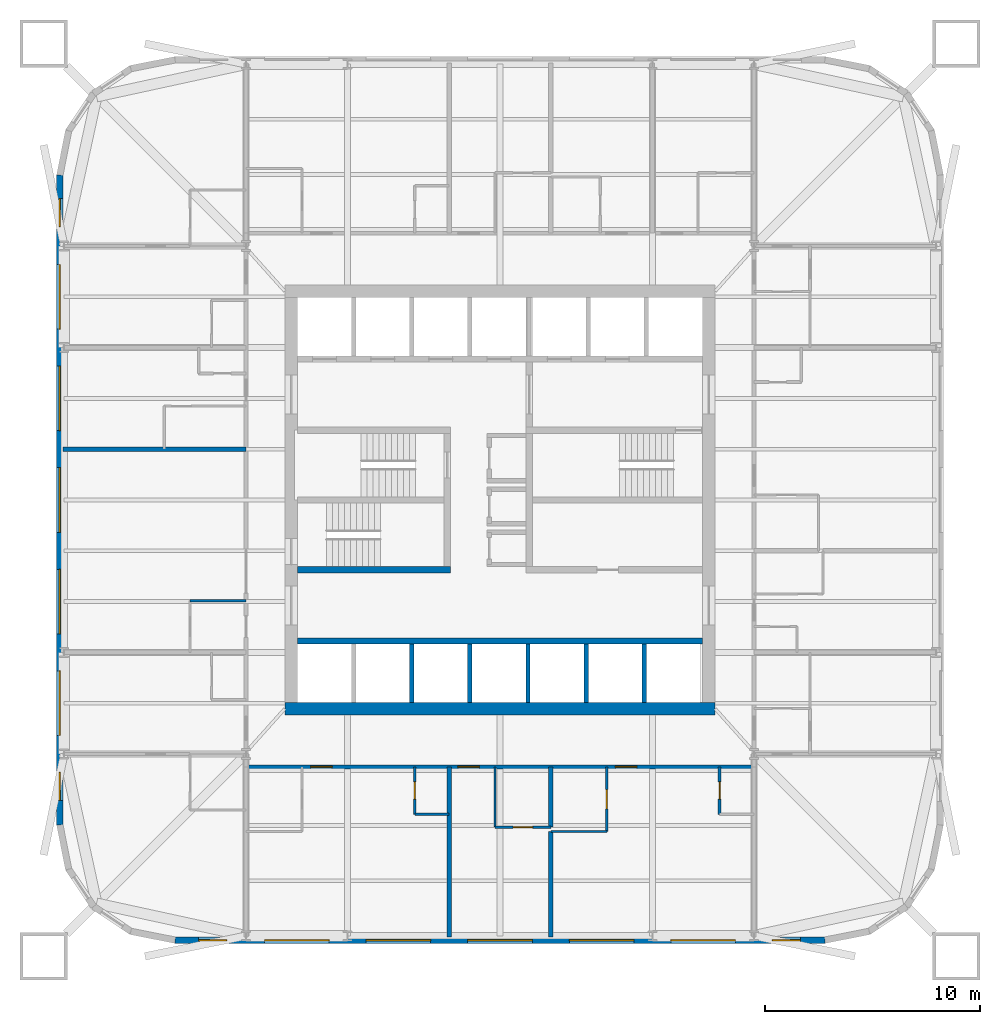
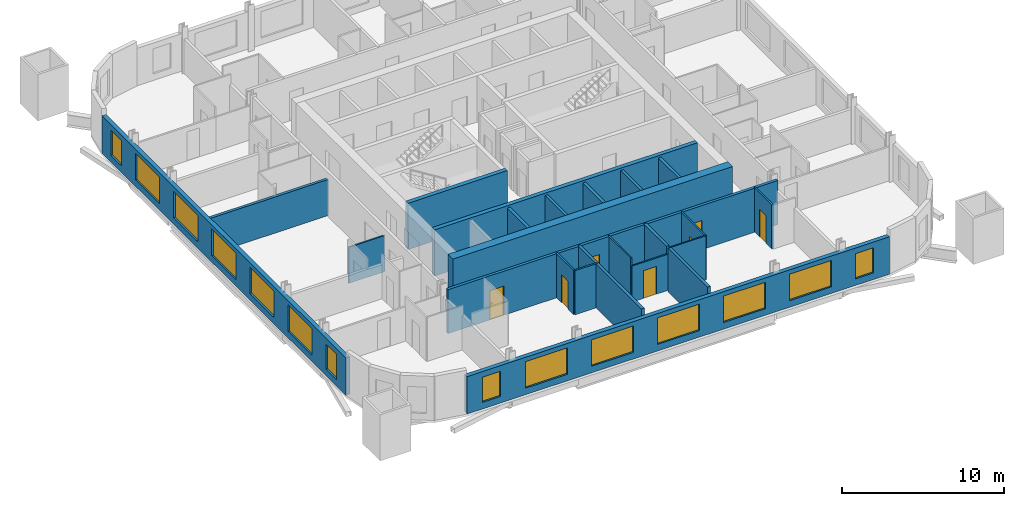
# One storey, part 3 of 9: 23 walls, 14 windows, 7 doors, 21 openings.
"""IFC4 building model written with IfcOpenShell, lengths in metres."""

from ifc_helpers import new_model, si_unit, direction, frame, frame_2d, origin, place, context, subcontext, project, spatial, rectangle, extrude, material, layer, layer_set, type_object, element, fill, save


model = new_model("IFC4")

# Units and contexts
model_context = context("Model", 3, precision=1e-05, world=origin(), true_north=direction((0.0, 1.0)))
body_context = subcontext(model_context, "Body", "Model", "MODEL_VIEW")
ifc_project = project(units=[si_unit("LENGTHUNIT", "METRE"), si_unit("AREAUNIT", "SQUARE_METRE"), si_unit("VOLUMEUNIT", "CUBIC_METRE"), si_unit("PLANEANGLEUNIT", "RADIAN"), si_unit("MASSUNIT", "GRAM", prefix="KILO")], contexts=[model_context])

# Site, building, storey
site_placement = place(None, origin())
site = spatial("IfcSite", under=ifc_project, at=site_placement, CompositionType="ELEMENT")
building_placement = place(site_placement, origin())
building = spatial("IfcBuilding", under=site, at=building_placement, Name="Turquesa Mirador Hotel Tower", CompositionType="ELEMENT")
storey_placement = place(building_placement, frame((0.0, 0.0, 100.39990234375)))
storey = spatial("IfcBuildingStorey", under=building, at=storey_placement, Name="L26", CompositionType="ELEMENT", Elevation=100.39990234375)

# Wall, opening, door
ifc_material_1 = material(Name="Gypsum board on steel studs", Category="steel")
ifc_layer_1 = layer(ifc_material_1, 0.10009765625)
ifc_layer_set_1 = layer_set([ifc_layer_1], Name="BATHROOM WALL 100")
wall_type_1 = type_object("IfcWallType", Name="BATHROOM WALL 100", PredefinedType="PARTITIONING", material=ifc_layer_set_1)
wall_1_placement = place(storey_placement, frame((54.760009765625, 29.800048828125, 0.0), z_axis=(0.0, 0.0, 1.0), x_axis=(1.0, 0.0, 0.0)))
wall_1 = element("IfcWall", 1, at=wall_1_placement, inside=storey, type_object=wall_type_1, Name="Partition L26 008", PredefinedType="PARTITIONING", context=body_context, shape_type="SweptSolid", body=[
    extrude(rectangle(XDim=2.60009765625, YDim=0.10009765625, at=frame_2d((1.300048828125, 0.0))), origin(), (0.0, 0.0, 1.0), 2.730712890625),
])
opening_1_placement = place(wall_1_placement, frame((0.85009765625, 0.0, 0.0)))
opening_1 = element("IfcOpeningElement", 2, at=opening_1_placement, cuts=wall_1, Name="Opening D02", PredefinedType="OPENING", context=body_context, shape_type="SweptSolid", body=[
    extrude(rectangle(XDim=0.89990234375, YDim=2.10009765625, at=frame_2d((0.449951171875, 1.050048828125))), frame((0.0, 0.06005859375, 0.0), z_axis=(0.0, -1.0, 0.0), x_axis=(1.0, 0.0, 0.0)), (0.0, 0.0, 1.0), 0.1201171875),
])
ifc_material_2 = material(Name="Timber veneered door", Category="wood")
door_type_1 = type_object("IfcDoorType", Name="DOOR 900X2100 EN-SUITE", OperationType="SINGLE_SWING_RIGHT", PredefinedType="DOOR", material=ifc_material_2)
door_1_placement = place(opening_1_placement, origin())
door_1 = element("IfcDoor", 3, at=door_1_placement, inside=storey, type_object=door_type_1, Name="Door 2606B", OperationType="SINGLE_SWING_RIGHT", OverallHeight=2.10009765625, OverallWidth=0.89990234375, PredefinedType="DOOR", context=body_context, shape_type="SweptSolid", body=[
    extrude(rectangle(XDim=0.89990234375, YDim=2.10009765625, at=frame_2d((0.449951171875, 1.050048828125))), frame((0.0, 0.02490234375, 0.0), z_axis=(0.0, -1.0, 0.0), x_axis=(1.0, 0.0, 0.0)), (0.0, 0.0, 1.0), 0.050048828125),
])
fill(opening_1, door_1)

# Walls
wall_2_placement = place(storey_placement, frame((57.360107421875, 29.60009765625, 0.0), z_axis=(0.0, 0.0, 1.0), x_axis=(1.0, 0.0, 0.0)))
element("IfcWall", 4, at=wall_2_placement, inside=storey, type_object=wall_type_1, Name="Partition L26 010", PredefinedType="PARTITIONING", context=body_context, shape_type="SweptSolid", body=[
    extrude(rectangle(XDim=2.599853515625, YDim=0.10009765625, at=frame_2d((1.2998046875, 0.0))), origin(), (0.0, 0.0, 1.0), 3.330078125),
])
wall_3_placement = place(storey_placement, frame((40.60009765625, 40.320068359375, 0.0), z_axis=(0.0, 0.0, 1.0), x_axis=(1.0, 0.0, 0.0)))
element("IfcWall", 5, at=wall_3_placement, inside=storey, type_object=wall_type_1, Name="Partition L26 014", PredefinedType="PARTITIONING", context=body_context, shape_type="SweptSolid", body=[
    extrude(rectangle(XDim=2.599853515625, YDim=0.10009765625, at=frame_2d((1.2998046875, 0.0))), origin(), (0.0, 0.0, 1.0), 2.730712890625),
])
wall_4_placement = place(storey_placement, frame((54.760009765625, 29.800048828125, 0.0), z_axis=(0.0, 0.0, 1.0), x_axis=(0.0, 1.0, 0.0)))
element("IfcWall", 6, at=wall_4_placement, inside=storey, type_object=wall_type_1, Name="Partition L26 039", PredefinedType="PARTITIONING", context=body_context, shape_type="SweptSolid", body=[
    extrude(rectangle(XDim=2.800048828125, YDim=0.10009765625, at=frame_2d((1.39990234375, 0.0))), origin(), (0.0, 0.0, 1.0), 3.330078125),
])

# Wall, opening, door
wall_5_placement = place(storey_placement, frame((59.9599609375, 29.60009765625, 0.0), z_axis=(0.0, 0.0, 1.0), x_axis=(0.0, 1.0, 0.0)))
wall_5 = element("IfcWall", 7, at=wall_5_placement, inside=storey, type_object=wall_type_1, Name="Partition L26 074", PredefinedType="PARTITIONING", context=body_context, shape_type="SweptSolid", body=[
    extrude(rectangle(XDim=3.0, YDim=0.10009765625, at=frame_2d((1.5, 0.0))), origin(), (0.0, 0.0, 1.0), 3.330078125),
])
opening_2_placement = place(wall_5_placement, frame((1.050048828125, 0.0, 0.0)))
opening_2 = element("IfcOpeningElement", 8, at=opening_2_placement, cuts=wall_5, Name="Opening D02", PredefinedType="OPENING", context=body_context, shape_type="SweptSolid", body=[
    extrude(rectangle(XDim=0.89990234375, YDim=2.10009765625, at=frame_2d((0.449951171875, 1.050048828125))), frame((0.0, 0.06005859375, 0.0), z_axis=(0.0, -1.0, 0.0), x_axis=(1.0, 0.0, 0.0)), (0.0, 0.0, 1.0), 0.1201171875),
])
door_2_placement = place(opening_2_placement, origin())
door_2 = element("IfcDoor", 9, at=door_2_placement, inside=storey, type_object=door_type_1, Name="Door 2607B", OperationType="SINGLE_SWING_RIGHT", OverallHeight=2.10009765625, OverallWidth=0.89990234375, PredefinedType="DOOR", context=body_context, shape_type="SweptSolid", body=[
    extrude(rectangle(XDim=0.89990234375, YDim=2.10009765625, at=frame_2d((0.449951171875, 1.050048828125))), frame((0.0, 0.02490234375, 0.0), z_axis=(0.0, -1.0, 0.0), x_axis=(1.0, 0.0, 0.0)), (0.0, 0.0, 1.0), 0.050048828125),
])
fill(opening_2, door_2)

# Walls
ifc_material_3 = material(Name="Concrete C50/60", Category="concrete")
ifc_layer_2 = layer(ifc_material_3, 0.300048828125)
ifc_layer_set_2 = layer_set([ifc_layer_2], Name="CORE INNER WALL 300")
wall_type_2 = type_object("IfcWallType", Name="CORE INNER WALL 300", PredefinedType="SHEAR", material=ifc_layer_set_2)
wall_6_placement = place(storey_placement, frame((45.60009765625, 38.449951171875, 0.0), z_axis=(0.0, 0.0, 1.0), x_axis=(1.0, 0.0, 0.0)))
element("IfcWall", 10, at=wall_6_placement, inside=storey, type_object=wall_type_2, Name="Core wall SL", PredefinedType="SHEAR", context=body_context, shape_type="SweptSolid", body=[
    extrude(rectangle(XDim=18.7998046875, YDim=0.300048828125, at=frame_2d((9.39990234375, 0.0))), origin(), (0.0, 0.0, 1.0), 3.5),
])
wall_7_placement = place(storey_placement, frame((45.60009765625, 41.75, 0.0), z_axis=(0.0, 0.0, 1.0), x_axis=(1.0, 0.0, 0.0)))
element("IfcWall", 11, at=wall_7_placement, inside=storey, type_object=wall_type_2, Name="Core wall MS-W", PredefinedType="SHEAR", context=body_context, shape_type="SweptSolid", body=[
    extrude(rectangle(XDim=7.099853515625, YDim=0.300048828125, at=frame_2d((3.5498046875, 0.0))), origin(), (0.0, 0.0, 1.0), 3.5),
])
ifc_material_4 = material(Name="Concrete C50/60", Category="concrete")
ifc_layer_3 = layer(ifc_material_4, 0.60009765625)
ifc_layer_set_3 = layer_set([ifc_layer_3], Name="CORE WALL 600")
wall_type_3 = type_object("IfcWallType", Name="CORE WALL 600", PredefinedType="SHEAR", material=ifc_layer_set_3)
wall_8_placement = place(storey_placement, frame((45.0, 35.300048828125, 0.0), z_axis=(0.0, 0.0, 1.0), x_axis=(1.0, 0.0, 0.0)))
element("IfcWall", 12, at=wall_8_placement, inside=storey, type_object=wall_type_3, Name="Core wall S", PredefinedType="SHEAR", context=body_context, shape_type="SweptSolid", body=[
    extrude(rectangle(XDim=20.0, YDim=0.60009765625, at=frame_2d((10.0, 0.0))), origin(), (0.0, 0.0, 1.0), 3.5),
])

# Wall, openings, doors
ifc_material_5 = material(Name="Fire-rated gypsum board on steel studs", Category="steel")
ifc_layer_4 = layer(ifc_material_5, 0.199951171875)
ifc_layer_set_4 = layer_set([ifc_layer_4], Name="CORRIDOR WALL 200")
wall_type_4 = type_object("IfcWallType", Name="CORRIDOR WALL 200", PredefinedType="PARTITIONING", material=ifc_layer_set_4)
wall_9_placement = place(storey_placement, frame((43.199951171875, 32.60009765625, 0.0), z_axis=(0.0, 0.0, 1.0), x_axis=(1.0, 0.0, 0.0)))
wall_9 = element("IfcWall", 13, at=wall_9_placement, inside=storey, type_object=wall_type_4, Name="Partition L26 004", PredefinedType="PARTITIONING", context=body_context, shape_type="SweptSolid", body=[
    extrude(rectangle(XDim=23.60009765625, YDim=0.199951171875, at=frame_2d((11.800048828125, 0.0))), origin(), (0.0, 0.0, 1.0), 3.330078125),
])
opening_3_placement = place(wall_9_placement, frame((3.0, 0.0, 0.0)))
opening_3 = element("IfcOpeningElement", 14, at=opening_3_placement, cuts=wall_9, Name="Opening D01", PredefinedType="OPENING", context=body_context, shape_type="SweptSolid", body=[
    extrude(rectangle(XDim=1.0, YDim=2.199951171875, at=frame_2d((0.5, 1.10009765625))), frame((0.0, 0.10986328125, 0.0), z_axis=(0.0, -1.0, 0.0), x_axis=(1.0, 0.0, 0.0)), (0.0, 0.0, 1.0), 0.219970703125),
])
opening_4_placement = place(wall_9_placement, frame((9.840087890625, 0.0, 0.0)))
opening_4 = element("IfcOpeningElement", 15, at=opening_4_placement, cuts=wall_9, Name="Opening D01", PredefinedType="OPENING", context=body_context, shape_type="SweptSolid", body=[
    extrude(rectangle(XDim=1.0, YDim=2.199951171875, at=frame_2d((0.5, 1.10009765625))), frame((0.0, 0.10986328125, 0.0), z_axis=(0.0, -1.0, 0.0), x_axis=(1.0, 0.0, 0.0)), (0.0, 0.0, 1.0), 0.219970703125),
])
opening_5_placement = place(wall_9_placement, frame((17.159912109375, 0.0, 0.0)))
opening_5 = element("IfcOpeningElement", 16, at=opening_5_placement, cuts=wall_9, Name="Opening D01", PredefinedType="OPENING", context=body_context, shape_type="SweptSolid", body=[
    extrude(rectangle(XDim=1.0, YDim=2.199951171875, at=frame_2d((0.5, 1.10009765625))), frame((0.0, 0.10986328125, 0.0), z_axis=(0.0, -1.0, 0.0), x_axis=(1.0, 0.0, 0.0)), (0.0, 0.0, 1.0), 0.219970703125),
])
ifc_material_6 = material(Name="Timber veneered fire door", Category="wood")
door_type_2 = type_object("IfcDoorType", Name="DOOR 1000X2200 GUEST ENTRY", OperationType="SINGLE_SWING_LEFT", PredefinedType="DOOR", material=ifc_material_6)
door_3_placement = place(opening_3_placement, origin())
door_3 = element("IfcDoor", 17, at=door_3_placement, inside=storey, type_object=door_type_2, Name="Door 2605", OperationType="SINGLE_SWING_LEFT", OverallHeight=2.199951171875, OverallWidth=1.0, PredefinedType="DOOR", context=body_context, shape_type="SweptSolid", body=[
    extrude(rectangle(XDim=1.0, YDim=2.199951171875, at=frame_2d((0.5, 1.10009765625))), frame((0.0, 0.02490234375, 0.0), z_axis=(0.0, -1.0, 0.0), x_axis=(1.0, 0.0, 0.0)), (0.0, 0.0, 1.0), 0.050048828125),
])
fill(opening_3, door_3)
door_4_placement = place(opening_4_placement, origin())
door_4 = element("IfcDoor", 18, at=door_4_placement, inside=storey, type_object=door_type_2, Name="Door 2606", OperationType="SINGLE_SWING_LEFT", OverallHeight=2.199951171875, OverallWidth=1.0, PredefinedType="DOOR", context=body_context, shape_type="SweptSolid", body=[
    extrude(rectangle(XDim=1.0, YDim=2.199951171875, at=frame_2d((0.5, 1.10009765625))), frame((0.0, 0.02490234375, 0.0), z_axis=(0.0, -1.0, 0.0), x_axis=(1.0, 0.0, 0.0)), (0.0, 0.0, 1.0), 0.050048828125),
])
fill(opening_4, door_4)
door_5_placement = place(opening_5_placement, origin())
door_5 = element("IfcDoor", 19, at=door_5_placement, inside=storey, type_object=door_type_2, Name="Door 2607", OperationType="SINGLE_SWING_LEFT", OverallHeight=2.199951171875, OverallWidth=1.0, PredefinedType="DOOR", context=body_context, shape_type="SweptSolid", body=[
    extrude(rectangle(XDim=1.0, YDim=2.199951171875, at=frame_2d((0.5, 1.10009765625))), frame((0.0, 0.02490234375, 0.0), z_axis=(0.0, -1.0, 0.0), x_axis=(1.0, 0.0, 0.0)), (0.0, 0.0, 1.0), 0.050048828125),
])
fill(opening_5, door_5)

# Wall, openings, windows
ifc_material_7 = material(Name="Limestone cladding on concrete block", Category="masonry")
ifc_layer_5 = layer(ifc_material_7, 0.300048828125)
ifc_layer_set_5 = layer_set([ifc_layer_5], Name="FACADE WALL 300 STONE SCREEN")
wall_type_5 = type_object("IfcWallType", Name="FACADE WALL 300 STONE SCREEN", PredefinedType="SOLIDWALL", material=ifc_layer_set_5)
wall_10_placement = place(storey_placement, frame((34.550048828125, 60.10009765625, 0.0), z_axis=(0.0, 0.0, 1.0), x_axis=(0.0, -1.0, 0.0)))
wall_10 = element("IfcWall", 20, at=wall_10_placement, inside=storey, type_object=wall_type_5, Name="Facade wall L26 14", PredefinedType="SOLIDWALL", context=body_context, shape_type="SweptSolid", body=[
    extrude(rectangle(XDim=30.2001953125, YDim=0.300048828125, at=frame_2d((15.10009765625, 0.0))), origin(), (0.0, 0.0, 1.0), 2.830078125),
])
opening_6_placement = place(wall_10_placement, frame((1.10009765625, 0.0, 0.5)))
opening_6 = element("IfcOpeningElement", 21, at=opening_6_placement, cuts=wall_10, Name="Opening WN27", PredefinedType="OPENING", context=body_context, shape_type="SweptSolid", body=[
    extrude(rectangle(XDim=1.300048828125, YDim=1.89990234375, at=frame_2d((0.64990234375, 0.949951171875))), frame((0.0, 0.159912109375, 0.0), z_axis=(0.0, -1.0, 0.0), x_axis=(1.0, 0.0, 0.0)), (0.0, 0.0, 1.0), 0.320068359375),
])
opening_7_placement = place(wall_10_placement, frame((4.159912109375, 0.0, 0.5)))
opening_7 = element("IfcOpeningElement", 22, at=opening_7_placement, cuts=wall_10, Name="Opening WN1", PredefinedType="OPENING", context=body_context, shape_type="SweptSolid", body=[
    extrude(rectangle(XDim=3.0, YDim=2.0, at=frame_2d((1.5, 1.0))), frame((0.0, 0.159912109375, 0.0), z_axis=(0.0, -1.0, 0.0), x_axis=(1.0, 0.0, 0.0)), (0.0, 0.0, 1.0), 0.320068359375),
])
opening_8_placement = place(wall_10_placement, frame((8.8798828125, 0.0, 0.5)))
opening_8 = element("IfcOpeningElement", 23, at=opening_8_placement, cuts=wall_10, Name="Opening WN1", PredefinedType="OPENING", context=body_context, shape_type="SweptSolid", body=[
    extrude(rectangle(XDim=3.0, YDim=2.0, at=frame_2d((1.5, 1.0))), frame((0.0, 0.159912109375, 0.0), z_axis=(0.0, -1.0, 0.0), x_axis=(1.0, 0.0, 0.0)), (0.0, 0.0, 1.0), 0.320068359375),
])
opening_9_placement = place(wall_10_placement, frame((13.60009765625, 0.0, 0.5)))
opening_9 = element("IfcOpeningElement", 24, at=opening_9_placement, cuts=wall_10, Name="Opening WN1", PredefinedType="OPENING", context=body_context, shape_type="SweptSolid", body=[
    extrude(rectangle(XDim=3.0, YDim=2.0, at=frame_2d((1.5, 1.0))), frame((0.0, 0.159912109375, 0.0), z_axis=(0.0, -1.0, 0.0), x_axis=(1.0, 0.0, 0.0)), (0.0, 0.0, 1.0), 0.320068359375),
])
opening_10_placement = place(wall_10_placement, frame((18.320068359375, 0.0, 0.5)))
opening_10 = element("IfcOpeningElement", 25, at=opening_10_placement, cuts=wall_10, Name="Opening WN1", PredefinedType="OPENING", context=body_context, shape_type="SweptSolid", body=[
    extrude(rectangle(XDim=3.0, YDim=2.0, at=frame_2d((1.5, 1.0))), frame((0.0, 0.159912109375, 0.0), z_axis=(0.0, -1.0, 0.0), x_axis=(1.0, 0.0, 0.0)), (0.0, 0.0, 1.0), 0.320068359375),
])
opening_11_placement = place(wall_10_placement, frame((23.0400390625, 0.0, 0.5)))
opening_11 = element("IfcOpeningElement", 26, at=opening_11_placement, cuts=wall_10, Name="Opening WN1", PredefinedType="OPENING", context=body_context, shape_type="SweptSolid", body=[
    extrude(rectangle(XDim=3.0, YDim=2.0, at=frame_2d((1.5, 1.0))), frame((0.0, 0.159912109375, 0.0), z_axis=(0.0, -1.0, 0.0), x_axis=(1.0, 0.0, 0.0)), (0.0, 0.0, 1.0), 0.320068359375),
])
opening_12_placement = place(wall_10_placement, frame((27.75, 0.0, 0.5)))
opening_12 = element("IfcOpeningElement", 27, at=opening_12_placement, cuts=wall_10, Name="Opening WN27", PredefinedType="OPENING", context=body_context, shape_type="SweptSolid", body=[
    extrude(rectangle(XDim=1.300048828125, YDim=1.89990234375, at=frame_2d((0.64990234375, 0.949951171875))), frame((0.0, 0.159912109375, 0.0), z_axis=(0.0, -1.0, 0.0), x_axis=(1.0, 0.0, 0.0)), (0.0, 0.0, 1.0), 0.320068359375),
])
ifc_material_8 = material(Name="Ceramic-fritted laminated glass", Category="glass")
window_type_1 = type_object("IfcWindowType", Name="FRITTED WINDOW 1300X1900", PartitioningType="DOUBLE_PANEL_HORIZONTAL", PredefinedType="WINDOW", material=ifc_material_8)
window_1_placement = place(opening_6_placement, origin())
window_1 = element("IfcWindow", 28, at=window_1_placement, inside=storey, type_object=window_type_1, Name="Window L26", OverallHeight=1.89990234375, OverallWidth=1.300048828125, PartitioningType="SINGLE_PANEL", PredefinedType="WINDOW", context=body_context, shape_type="SweptSolid", body=[
    extrude(rectangle(XDim=1.300048828125, YDim=1.89990234375, at=frame_2d((0.64990234375, 0.949951171875))), frame((0.0, 0.030029296875, 0.0), z_axis=(0.0, -1.0, 0.0), x_axis=(1.0, 0.0, 0.0)), (0.0, 0.0, 1.0), 0.06005859375),
])
fill(opening_6, window_1)
window_2_placement = place(opening_12_placement, origin())
window_2 = element("IfcWindow", 29, at=window_2_placement, inside=storey, type_object=window_type_1, Name="Window L26", OverallHeight=1.89990234375, OverallWidth=1.300048828125, PartitioningType="SINGLE_PANEL", PredefinedType="WINDOW", context=body_context, shape_type="SweptSolid", body=[
    extrude(rectangle(XDim=1.300048828125, YDim=1.89990234375, at=frame_2d((0.64990234375, 0.949951171875))), frame((0.0, 0.030029296875, 0.0), z_axis=(0.0, -1.0, 0.0), x_axis=(1.0, 0.0, 0.0)), (0.0, 0.0, 1.0), 0.06005859375),
])
fill(opening_12, window_2)
ifc_material_9 = material(Name="Ceramic-fritted laminated glass", Category="glass")
window_type_2 = type_object("IfcWindowType", Name="FRITTED WINDOW 3000X2000", PartitioningType="DOUBLE_PANEL_HORIZONTAL", PredefinedType="WINDOW", material=ifc_material_9)
window_3_placement = place(opening_7_placement, origin())
window_3 = element("IfcWindow", 30, at=window_3_placement, inside=storey, type_object=window_type_2, Name="Window L26", OverallHeight=2.0, OverallWidth=3.0, PartitioningType="SINGLE_PANEL", PredefinedType="WINDOW", context=body_context, shape_type="SweptSolid", body=[
    extrude(rectangle(XDim=3.0, YDim=2.0, at=frame_2d((1.5, 1.0))), frame((0.0, 0.030029296875, 0.0), z_axis=(0.0, -1.0, 0.0), x_axis=(1.0, 0.0, 0.0)), (0.0, 0.0, 1.0), 0.06005859375),
])
fill(opening_7, window_3)
window_4_placement = place(opening_8_placement, origin())
window_4 = element("IfcWindow", 31, at=window_4_placement, inside=storey, type_object=window_type_2, Name="Window L26", OverallHeight=2.0, OverallWidth=3.0, PartitioningType="SINGLE_PANEL", PredefinedType="WINDOW", context=body_context, shape_type="SweptSolid", body=[
    extrude(rectangle(XDim=3.0, YDim=2.0, at=frame_2d((1.5, 1.0))), frame((0.0, 0.030029296875, 0.0), z_axis=(0.0, -1.0, 0.0), x_axis=(1.0, 0.0, 0.0)), (0.0, 0.0, 1.0), 0.06005859375),
])
fill(opening_8, window_4)
window_5_placement = place(opening_9_placement, origin())
window_5 = element("IfcWindow", 32, at=window_5_placement, inside=storey, type_object=window_type_2, Name="Window L26", OverallHeight=2.0, OverallWidth=3.0, PartitioningType="SINGLE_PANEL", PredefinedType="WINDOW", context=body_context, shape_type="SweptSolid", body=[
    extrude(rectangle(XDim=3.0, YDim=2.0, at=frame_2d((1.5, 1.0))), frame((0.0, 0.030029296875, 0.0), z_axis=(0.0, -1.0, 0.0), x_axis=(1.0, 0.0, 0.0)), (0.0, 0.0, 1.0), 0.06005859375),
])
fill(opening_9, window_5)
window_6_placement = place(opening_10_placement, origin())
window_6 = element("IfcWindow", 33, at=window_6_placement, inside=storey, type_object=window_type_2, Name="Window L26", OverallHeight=2.0, OverallWidth=3.0, PartitioningType="SINGLE_PANEL", PredefinedType="WINDOW", context=body_context, shape_type="SweptSolid", body=[
    extrude(rectangle(XDim=3.0, YDim=2.0, at=frame_2d((1.5, 1.0))), frame((0.0, 0.030029296875, 0.0), z_axis=(0.0, -1.0, 0.0), x_axis=(1.0, 0.0, 0.0)), (0.0, 0.0, 1.0), 0.06005859375),
])
fill(opening_10, window_6)
window_7_placement = place(opening_11_placement, origin())
window_7 = element("IfcWindow", 34, at=window_7_placement, inside=storey, type_object=window_type_2, Name="Window L26", OverallHeight=2.0, OverallWidth=3.0, PartitioningType="SINGLE_PANEL", PredefinedType="WINDOW", context=body_context, shape_type="SweptSolid", body=[
    extrude(rectangle(XDim=3.0, YDim=2.0, at=frame_2d((1.5, 1.0))), frame((0.0, 0.030029296875, 0.0), z_axis=(0.0, -1.0, 0.0), x_axis=(1.0, 0.0, 0.0)), (0.0, 0.0, 1.0), 0.06005859375),
])
fill(opening_11, window_7)

wall_11_placement = place(storey_placement, frame((39.89990234375, 24.550048828125, 0.0), z_axis=(0.0, 0.0, 1.0), x_axis=(1.0, 0.0, 0.0)))
wall_11 = element("IfcWall", 35, at=wall_11_placement, inside=storey, type_object=wall_type_5, Name="Facade wall L26 19", PredefinedType="SOLIDWALL", context=body_context, shape_type="SweptSolid", body=[
    extrude(rectangle(XDim=30.2001953125, YDim=0.300048828125, at=frame_2d((15.10009765625, 0.0))), origin(), (0.0, 0.0, 1.0), 2.830078125),
])
opening_13_placement = place(wall_11_placement, frame((1.10009765625, 0.0, 0.5)))
opening_13 = element("IfcOpeningElement", 36, at=opening_13_placement, cuts=wall_11, Name="Opening WN27", PredefinedType="OPENING", context=body_context, shape_type="SweptSolid", body=[
    extrude(rectangle(XDim=1.300048828125, YDim=1.89990234375, at=frame_2d((0.64990234375, 0.949951171875))), frame((0.0, 0.159912109375, 0.0), z_axis=(0.0, -1.0, 0.0), x_axis=(1.0, 0.0, 0.0)), (0.0, 0.0, 1.0), 0.320068359375),
])
opening_14_placement = place(wall_11_placement, frame((4.159912109375, 0.0, 0.5)))
opening_14 = element("IfcOpeningElement", 37, at=opening_14_placement, cuts=wall_11, Name="Opening WN1", PredefinedType="OPENING", context=body_context, shape_type="SweptSolid", body=[
    extrude(rectangle(XDim=3.0, YDim=2.0, at=frame_2d((1.5, 1.0))), frame((0.0, 0.159912109375, 0.0), z_axis=(0.0, -1.0, 0.0), x_axis=(1.0, 0.0, 0.0)), (0.0, 0.0, 1.0), 0.320068359375),
])
opening_15_placement = place(wall_11_placement, frame((8.8798828125, 0.0, 0.5)))
opening_15 = element("IfcOpeningElement", 38, at=opening_15_placement, cuts=wall_11, Name="Opening WN1", PredefinedType="OPENING", context=body_context, shape_type="SweptSolid", body=[
    extrude(rectangle(XDim=3.0, YDim=2.0, at=frame_2d((1.5, 1.0))), frame((0.0, 0.159912109375, 0.0), z_axis=(0.0, -1.0, 0.0), x_axis=(1.0, 0.0, 0.0)), (0.0, 0.0, 1.0), 0.320068359375),
])
opening_16_placement = place(wall_11_placement, frame((13.60009765625, 0.0, 0.5)))
opening_16 = element("IfcOpeningElement", 39, at=opening_16_placement, cuts=wall_11, Name="Opening WN1", PredefinedType="OPENING", context=body_context, shape_type="SweptSolid", body=[
    extrude(rectangle(XDim=3.0, YDim=2.0, at=frame_2d((1.5, 1.0))), frame((0.0, 0.159912109375, 0.0), z_axis=(0.0, -1.0, 0.0), x_axis=(1.0, 0.0, 0.0)), (0.0, 0.0, 1.0), 0.320068359375),
])
opening_17_placement = place(wall_11_placement, frame((18.320068359375, 0.0, 0.5)))
opening_17 = element("IfcOpeningElement", 40, at=opening_17_placement, cuts=wall_11, Name="Opening WN1", PredefinedType="OPENING", context=body_context, shape_type="SweptSolid", body=[
    extrude(rectangle(XDim=3.0, YDim=2.0, at=frame_2d((1.5, 1.0))), frame((0.0, 0.159912109375, 0.0), z_axis=(0.0, -1.0, 0.0), x_axis=(1.0, 0.0, 0.0)), (0.0, 0.0, 1.0), 0.320068359375),
])
opening_18_placement = place(wall_11_placement, frame((23.0400390625, 0.0, 0.5)))
opening_18 = element("IfcOpeningElement", 41, at=opening_18_placement, cuts=wall_11, Name="Opening WN1", PredefinedType="OPENING", context=body_context, shape_type="SweptSolid", body=[
    extrude(rectangle(XDim=3.0, YDim=2.0, at=frame_2d((1.5, 1.0))), frame((0.0, 0.159912109375, 0.0), z_axis=(0.0, -1.0, 0.0), x_axis=(1.0, 0.0, 0.0)), (0.0, 0.0, 1.0), 0.320068359375),
])
opening_19_placement = place(wall_11_placement, frame((27.75, 0.0, 0.5)))
opening_19 = element("IfcOpeningElement", 42, at=opening_19_placement, cuts=wall_11, Name="Opening WN27", PredefinedType="OPENING", context=body_context, shape_type="SweptSolid", body=[
    extrude(rectangle(XDim=1.300048828125, YDim=1.89990234375, at=frame_2d((0.64990234375, 0.949951171875))), frame((0.0, 0.159912109375, 0.0), z_axis=(0.0, -1.0, 0.0), x_axis=(1.0, 0.0, 0.0)), (0.0, 0.0, 1.0), 0.320068359375),
])
window_8_placement = place(opening_13_placement, origin())
window_8 = element("IfcWindow", 43, at=window_8_placement, inside=storey, type_object=window_type_1, Name="Window L26", OverallHeight=1.89990234375, OverallWidth=1.300048828125, PartitioningType="SINGLE_PANEL", PredefinedType="WINDOW", context=body_context, shape_type="SweptSolid", body=[
    extrude(rectangle(XDim=1.300048828125, YDim=1.89990234375, at=frame_2d((0.64990234375, 0.949951171875))), frame((0.0, 0.030029296875, 0.0), z_axis=(0.0, -1.0, 0.0), x_axis=(1.0, 0.0, 0.0)), (0.0, 0.0, 1.0), 0.06005859375),
])
fill(opening_13, window_8)
window_9_placement = place(opening_19_placement, origin())
window_9 = element("IfcWindow", 44, at=window_9_placement, inside=storey, type_object=window_type_1, Name="Window L26", OverallHeight=1.89990234375, OverallWidth=1.300048828125, PartitioningType="SINGLE_PANEL", PredefinedType="WINDOW", context=body_context, shape_type="SweptSolid", body=[
    extrude(rectangle(XDim=1.300048828125, YDim=1.89990234375, at=frame_2d((0.64990234375, 0.949951171875))), frame((0.0, 0.030029296875, 0.0), z_axis=(0.0, -1.0, 0.0), x_axis=(1.0, 0.0, 0.0)), (0.0, 0.0, 1.0), 0.06005859375),
])
fill(opening_19, window_9)
window_10_placement = place(opening_14_placement, origin())
window_10 = element("IfcWindow", 45, at=window_10_placement, inside=storey, type_object=window_type_2, Name="Window L26", OverallHeight=2.0, OverallWidth=3.0, PartitioningType="SINGLE_PANEL", PredefinedType="WINDOW", context=body_context, shape_type="SweptSolid", body=[
    extrude(rectangle(XDim=3.0, YDim=2.0, at=frame_2d((1.5, 1.0))), frame((0.0, 0.030029296875, 0.0), z_axis=(0.0, -1.0, 0.0), x_axis=(1.0, 0.0, 0.0)), (0.0, 0.0, 1.0), 0.06005859375),
])
fill(opening_14, window_10)
window_11_placement = place(opening_15_placement, origin())
window_11 = element("IfcWindow", 46, at=window_11_placement, inside=storey, type_object=window_type_2, Name="Window L26", OverallHeight=2.0, OverallWidth=3.0, PartitioningType="SINGLE_PANEL", PredefinedType="WINDOW", context=body_context, shape_type="SweptSolid", body=[
    extrude(rectangle(XDim=3.0, YDim=2.0, at=frame_2d((1.5, 1.0))), frame((0.0, 0.030029296875, 0.0), z_axis=(0.0, -1.0, 0.0), x_axis=(1.0, 0.0, 0.0)), (0.0, 0.0, 1.0), 0.06005859375),
])
fill(opening_15, window_11)
window_12_placement = place(opening_16_placement, origin())
window_12 = element("IfcWindow", 47, at=window_12_placement, inside=storey, type_object=window_type_2, Name="Window L26", OverallHeight=2.0, OverallWidth=3.0, PartitioningType="SINGLE_PANEL", PredefinedType="WINDOW", context=body_context, shape_type="SweptSolid", body=[
    extrude(rectangle(XDim=3.0, YDim=2.0, at=frame_2d((1.5, 1.0))), frame((0.0, 0.030029296875, 0.0), z_axis=(0.0, -1.0, 0.0), x_axis=(1.0, 0.0, 0.0)), (0.0, 0.0, 1.0), 0.06005859375),
])
fill(opening_16, window_12)
window_13_placement = place(opening_17_placement, origin())
window_13 = element("IfcWindow", 48, at=window_13_placement, inside=storey, type_object=window_type_2, Name="Window L26", OverallHeight=2.0, OverallWidth=3.0, PartitioningType="SINGLE_PANEL", PredefinedType="WINDOW", context=body_context, shape_type="SweptSolid", body=[
    extrude(rectangle(XDim=3.0, YDim=2.0, at=frame_2d((1.5, 1.0))), frame((0.0, 0.030029296875, 0.0), z_axis=(0.0, -1.0, 0.0), x_axis=(1.0, 0.0, 0.0)), (0.0, 0.0, 1.0), 0.06005859375),
])
fill(opening_17, window_13)
window_14_placement = place(opening_18_placement, origin())
window_14 = element("IfcWindow", 49, at=window_14_placement, inside=storey, type_object=window_type_2, Name="Window L26", OverallHeight=2.0, OverallWidth=3.0, PartitioningType="SINGLE_PANEL", PredefinedType="WINDOW", context=body_context, shape_type="SweptSolid", body=[
    extrude(rectangle(XDim=3.0, YDim=2.0, at=frame_2d((1.5, 1.0))), frame((0.0, 0.030029296875, 0.0), z_axis=(0.0, -1.0, 0.0), x_axis=(1.0, 0.0, 0.0)), (0.0, 0.0, 1.0), 0.06005859375),
])
fill(opening_18, window_14)

# Walls
ifc_material_10 = material(Name="Fire-rated gypsum shaft wall on steel studs", Category="steel")
ifc_layer_6 = layer(ifc_material_10, 0.199951171875)
ifc_layer_set_6 = layer_set([ifc_layer_6], Name="LIFT SHAFT DIVIDER 200")
wall_type_6 = type_object("IfcWallType", Name="LIFT SHAFT DIVIDER 200", PredefinedType="PARTITIONING", material=ifc_layer_set_6)
for number, where, z_axis, x_axis, name in (
    (50, (50.89990234375, 35.60009765625, 0.0), (0.0, 0.0, 1.0), (0.0, 1.0, 0.0), "Lift shaft divider"),
    (51, (53.60009765625, 35.60009765625, 0.0), (0.0, 0.0, 1.0), (0.0, 1.0, 0.0), "Lift shaft divider"),
    (52, (56.300048828125, 35.60009765625, 0.0), (0.0, 0.0, 1.0), (0.0, 1.0, 0.0), "Lift shaft divider"),
    (53, (59.0, 35.60009765625, 0.0), (0.0, 0.0, 1.0), (0.0, 1.0, 0.0), "Lift shaft divider"),
    (54, (61.699951171875, 35.60009765625, 0.0), (0.0, 0.0, 1.0), (0.0, 1.0, 0.0), "Lift shaft divider"),
):
    element("IfcWall", number, at=place(storey_placement, frame(where, z_axis=z_axis, x_axis=x_axis)), inside=storey, type_object=wall_type_6, Name=name, PredefinedType="PARTITIONING", context=body_context, shape_type="SweptSolid", body=[
        extrude(rectangle(XDim=2.699951171875, YDim=0.199951171875, at=frame_2d((1.35009765625, 0.0))), origin(), (0.0, 0.0, 1.0), 3.330078125),
    ])
ifc_material_11 = material(Name="Fire-rated gypsum board on steel studs", Category="steel")
ifc_layer_7 = layer(ifc_material_11, 0.199951171875)
ifc_layer_set_7 = layer_set([ifc_layer_7], Name="PARTY WALL 200")
wall_type_7 = type_object("IfcWallType", Name="PARTY WALL 200", PredefinedType="PARTITIONING", material=ifc_layer_set_7)
wall_12_placement = place(storey_placement, frame((34.699951171875, 47.360107421875, 0.0), z_axis=(0.0, 0.0, 1.0), x_axis=(1.0, 0.0, 0.0)))
element("IfcWall", 55, at=wall_12_placement, inside=storey, type_object=wall_type_7, Name="Partition L26 031", PredefinedType="PARTITIONING", context=body_context, shape_type="SweptSolid", body=[
    extrude(rectangle(XDim=8.5, YDim=0.199951171875, at=frame_2d((4.25, 0.0))), origin(), (0.0, 0.0, 1.0), 2.730712890625),
])
wall_13_placement = place(storey_placement, frame((52.639892578125, 24.699951171875, 0.0), z_axis=(0.0, 0.0, 1.0), x_axis=(0.0, 1.0, 0.0)))
element("IfcWall", 56, at=wall_13_placement, inside=storey, type_object=wall_type_7, Name="Partition L26 051", PredefinedType="PARTITIONING", context=body_context, shape_type="SweptSolid", body=[
    extrude(rectangle(XDim=7.900146484375, YDim=0.199951171875, at=frame_2d((3.9501953125, 0.0))), origin(), (0.0, 0.0, 1.0), 3.330078125),
])
wall_14_placement = place(storey_placement, frame((57.360107421875, 24.699951171875, 0.0), z_axis=(0.0, 0.0, 1.0), x_axis=(0.0, 1.0, 0.0)))
element("IfcWall", 57, at=wall_14_placement, inside=storey, type_object=wall_type_7, Name="Partition L26 069", PredefinedType="PARTITIONING", context=body_context, shape_type="SweptSolid", body=[
    extrude(rectangle(XDim=4.900146484375, YDim=0.199951171875, at=frame_2d((2.4501953125, 0.0))), origin(), (0.0, 0.0, 1.0), 3.330078125),
])
wall_15_placement = place(storey_placement, frame((57.360107421875, 29.800048828125, 0.0), z_axis=(0.0, 0.0, 1.0), x_axis=(0.0, 1.0, 0.0)))
element("IfcWall", 58, at=wall_15_placement, inside=storey, type_object=wall_type_7, Name="Partition L26 070", PredefinedType="PARTITIONING", context=body_context, shape_type="SweptSolid", body=[
    extrude(rectangle(XDim=2.800048828125, YDim=0.199951171875, at=frame_2d((1.39990234375, 0.0))), origin(), (0.0, 0.0, 1.0), 3.330078125),
])
ifc_material_12 = material(Name="Acoustic gypsum board on steel studs", Category="steel")
ifc_layer_8 = layer(ifc_material_12, 0.125)
ifc_layer_set_8 = layer_set([ifc_layer_8], Name="SUITE PARTITION 125")
wall_type_8 = type_object("IfcWallType", Name="SUITE PARTITION 125", PredefinedType="PARTITIONING", material=ifc_layer_set_8)
wall_16_placement = place(storey_placement, frame((51.0400390625, 30.39990234375, 0.0), z_axis=(0.0, 0.0, 1.0), x_axis=(1.0, 0.0, 0.0)))
element("IfcWall", 59, at=wall_16_placement, inside=storey, type_object=wall_type_8, Name="Partition L26 006", PredefinedType="PARTITIONING", context=body_context, shape_type="SweptSolid", body=[
    extrude(rectangle(XDim=1.599853515625, YDim=0.125, at=frame_2d((0.7998046875, 0.0))), origin(), (0.0, 0.0, 1.0), 3.330078125),
])

# Wall, opening, door
wall_17_placement = place(storey_placement, frame((51.0400390625, 30.39990234375, 0.0), z_axis=(0.0, 0.0, 1.0), x_axis=(0.0, 1.0, 0.0)))
wall_17 = element("IfcWall", 60, at=wall_17_placement, inside=storey, type_object=wall_type_8, Name="Partition L26 053", PredefinedType="PARTITIONING", context=body_context, shape_type="SweptSolid", body=[
    extrude(rectangle(XDim=2.2001953125, YDim=0.125, at=frame_2d((1.10009765625, 0.0))), origin(), (0.0, 0.0, 1.0), 3.330078125),
])
opening_20_placement = place(wall_17_placement, frame((0.699951171875, 0.0, 0.0)))
opening_20 = element("IfcOpeningElement", 61, at=opening_20_placement, cuts=wall_17, Name="Opening D20", PredefinedType="OPENING", context=body_context, shape_type="SweptSolid", body=[
    extrude(rectangle(XDim=0.800048828125, YDim=2.10009765625, at=frame_2d((0.39990234375, 1.050048828125))), frame((0.0, 0.072509765625, 0.0), z_axis=(0.0, -1.0, 0.0), x_axis=(1.0, 0.0, 0.0)), (0.0, 0.0, 1.0), 0.14501953125),
])
ifc_material_13 = material(Name="Timber veneered sliding door", Category="wood")
door_type_3 = type_object("IfcDoorType", Name="DOOR 800X2100 WARDROBE", OperationType="SLIDING_TO_LEFT", PredefinedType="DOOR", material=ifc_material_13)
door_6_placement = place(opening_20_placement, origin())
door_6 = element("IfcDoor", 62, at=door_6_placement, inside=storey, type_object=door_type_3, Name="Door 2605W", OperationType="SLIDING_TO_LEFT", OverallHeight=2.10009765625, OverallWidth=0.800048828125, PredefinedType="DOOR", context=body_context, shape_type="SweptSolid", body=[
    extrude(rectangle(XDim=0.800048828125, YDim=2.10009765625, at=frame_2d((0.39990234375, 1.050048828125))), frame((0.0, 0.02490234375, 0.0), z_axis=(0.0, -1.0, 0.0), x_axis=(1.0, 0.0, 0.0)), (0.0, 0.0, 1.0), 0.050048828125),
])
fill(opening_20, door_6)

wall_18_placement = place(storey_placement, frame((65.199951171875, 30.39990234375, 0.0), z_axis=(0.0, 0.0, 1.0), x_axis=(0.0, 1.0, 0.0)))
wall_18 = element("IfcWall", 63, at=wall_18_placement, inside=storey, type_object=wall_type_8, Name="Partition L26 057", PredefinedType="PARTITIONING", context=body_context, shape_type="SweptSolid", body=[
    extrude(rectangle(XDim=2.2001953125, YDim=0.125, at=frame_2d((1.10009765625, 0.0))), origin(), (0.0, 0.0, 1.0), 3.330078125),
])
opening_21_placement = place(wall_18_placement, frame((0.699951171875, 0.0, 0.0)))
opening_21 = element("IfcOpeningElement", 64, at=opening_21_placement, cuts=wall_18, Name="Opening D20", PredefinedType="OPENING", context=body_context, shape_type="SweptSolid", body=[
    extrude(rectangle(XDim=0.800048828125, YDim=2.10009765625, at=frame_2d((0.39990234375, 1.050048828125))), frame((0.0, 0.072509765625, 0.0), z_axis=(0.0, -1.0, 0.0), x_axis=(1.0, 0.0, 0.0)), (0.0, 0.0, 1.0), 0.14501953125),
])
door_7_placement = place(opening_21_placement, origin())
door_7 = element("IfcDoor", 65, at=door_7_placement, inside=storey, type_object=door_type_3, Name="Door 2607W", OperationType="SLIDING_TO_LEFT", OverallHeight=2.10009765625, OverallWidth=0.800048828125, PredefinedType="DOOR", context=body_context, shape_type="SweptSolid", body=[
    extrude(rectangle(XDim=0.800048828125, YDim=2.10009765625, at=frame_2d((0.39990234375, 1.050048828125))), frame((0.0, 0.02490234375, 0.0), z_axis=(0.0, -1.0, 0.0), x_axis=(1.0, 0.0, 0.0)), (0.0, 0.0, 1.0), 0.050048828125),
])
fill(opening_21, door_7)

save(model, "model.ifc")
